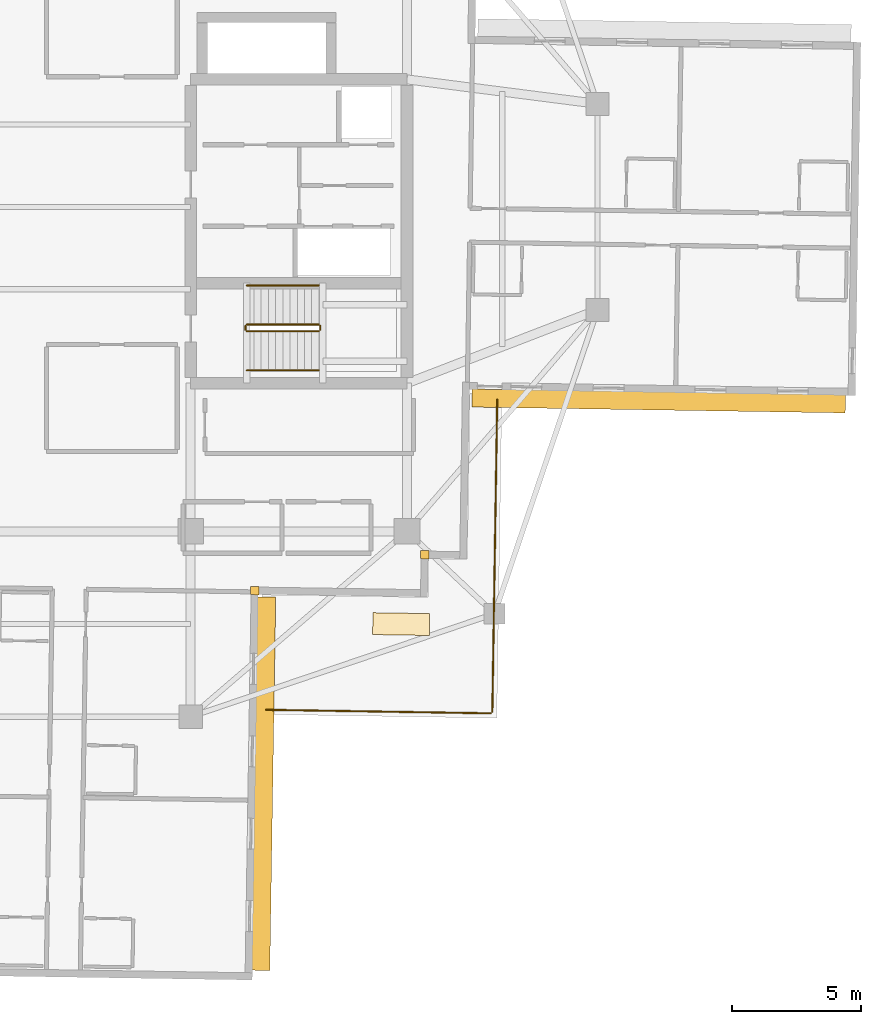
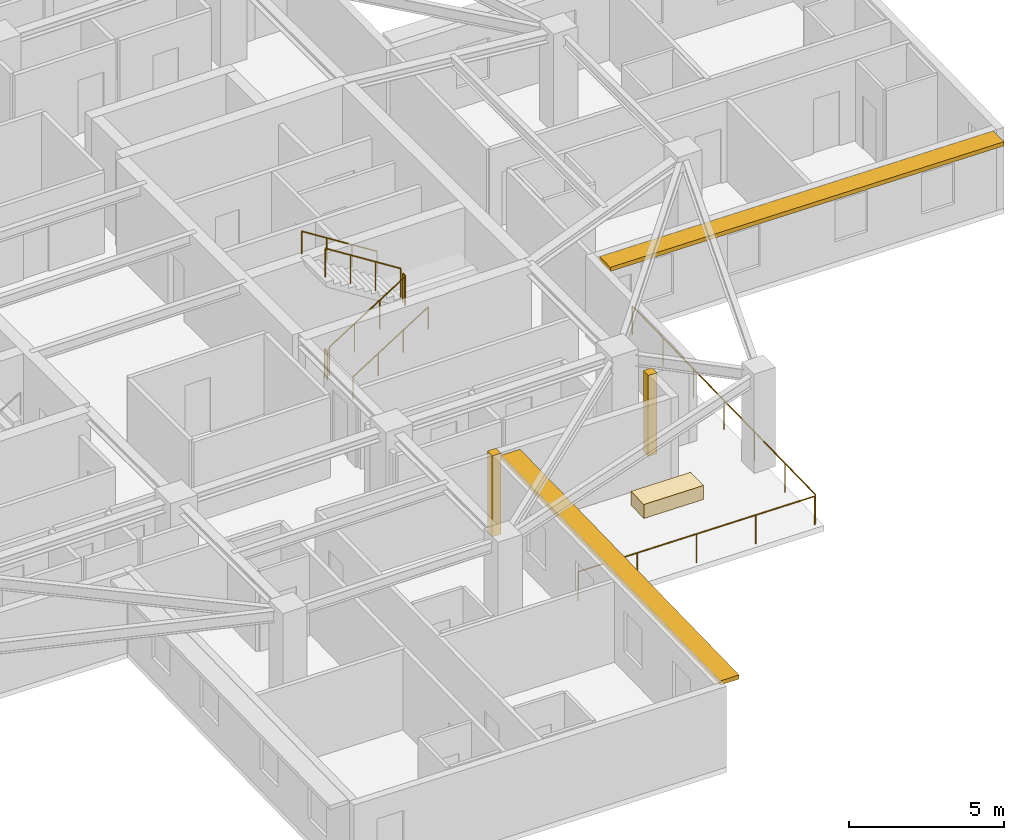
# One storey, part 11 of 13: 8 railings, 3 coverings, 2 shading devices.
"""IFC4 building model written with IfcOpenShell, lengths in metres."""

from ifc_helpers import new_model, si_unit, direction, frame, origin, origin_2d, place, context, subcontext, project, spatial, rectangle, circle, extrude, material, layer, layer_set, type_object, element, save


model = new_model("IFC4")

# Units and contexts
model_context = context("Model", 3, precision=1e-05, world=origin(), true_north=direction((0.0, 1.0)))
body_context = subcontext(model_context, "Body", "Model", "MODEL_VIEW")
ifc_project = project(units=[si_unit("LENGTHUNIT", "METRE"), si_unit("AREAUNIT", "SQUARE_METRE"), si_unit("VOLUMEUNIT", "CUBIC_METRE"), si_unit("PLANEANGLEUNIT", "RADIAN"), si_unit("MASSUNIT", "GRAM", prefix="KILO")], contexts=[model_context])

# Site, building, storey
site_placement = place(None, origin())
site = spatial("IfcSite", under=ifc_project, at=site_placement, CompositionType="ELEMENT")
building_placement = place(site_placement, origin())
building = spatial("IfcBuilding", under=site, at=building_placement, Name="Qingluan Cross Belvedere", CompositionType="ELEMENT")
storey_placement = place(building_placement, frame((0.0, 0.0, 228.60009765625)))
storey = spatial("IfcBuildingStorey", under=building, at=storey_placement, Name="L57", CompositionType="ELEMENT", Elevation=228.60009765625)

# Coverings
ifc_material_1 = material(Name="Precast concrete C45", Category="concrete")
ifc_layer_1 = layer(ifc_material_1, 0.1201171875, Name="ConcreteSpandrelCladding_120")
ifc_layer_set_1 = layer_set([ifc_layer_1], Name="Precast concrete C45")
covering_type_1 = type_object("IfcCoveringType", Name="ConcreteSpandrelCladding_120", PredefinedType="CLADDING", material=ifc_layer_set_1)
for number, where, z_axis, x_axis, name in (
    (1, (13.089599609375, -13.50732421875, 0.0), (0.0, 0.0, 1.0), (0.999876632482, -0.015707317312, 0.0), "Corner closure L57-SE1"),
    (2, (6.48681640625, -14.90380859375, 0.0), (0.0, 0.0, 1.0), (0.999876632482, -0.015707317312, 0.0), "Corner closure L57-SE2"),
):
    element("IfcCovering", number, at=place(storey_placement, frame(where, z_axis=z_axis, x_axis=x_axis)), inside=storey, type_object=covering_type_1, Name=name, PredefinedType="CLADDING", context=body_context, shape_type="SweptSolid", body=[
        extrude(rectangle(XDim=0.320068359375, YDim=0.320068359375, at=origin_2d()), origin(), (0.0, 0.0, 1.0), 3.179931640625),
    ])

# Shading devices
ifc_material_2 = material(Name="Precast concrete C45", Category="concrete")
ifc_layer_2 = layer(ifc_material_2, 0.139892578125, Name="ConcreteSunshadeBand_700")
ifc_layer_set_2 = layer_set([ifc_layer_2], Name="Precast concrete C45")
shading_device_type = type_object("IfcShadingDeviceType", Name="ConcreteSunshadeBand_700", PredefinedType="USERDEFINED", material=ifc_layer_set_2)
for number, where, z_axis, x_axis, name in (
    (3, (22.17431640625, -7.539306640625, 3.0), (0.0, 0.0, 1.0), (0.999876630106, -0.015707468526, 0.0), "Concrete SUNSHADE L57-EA"),
    (4, (6.839111328125, -22.400146484375, 3.0), (0.0, 0.0, 1.0), (0.015707468526, 0.999876630106, 0.0), "Concrete SUNSHADE L57-SB"),
):
    element("IfcShadingDevice", number, at=place(storey_placement, frame(where, z_axis=z_axis, x_axis=x_axis)), inside=storey, type_object=shading_device_type, Name=name, ObjectType="SUNSHADE", PredefinedType="USERDEFINED", context=body_context, shape_type="SweptSolid", body=[
        extrude(rectangle(XDim=14.5, YDim=0.699951171875, at=origin_2d()), origin(), (0.0, 0.0, 1.0), 0.159912109375),
    ])

# Railings
ifc_material_3 = material(Name="Brushed stainless steel tubular handrail", Category="steel")
railing_type_1 = type_object("IfcRailingType", Name="StairPitchHandrail_900", PredefinedType="HANDRAIL", material=ifc_material_3)
railing_1_placement = place(storey_placement, frame((6.179931640625, -6.35009765625, 0.17724609375)))
element("IfcRailing", 5, at=railing_1_placement, inside=storey, type_object=railing_type_1, Name="L57 ST2 stair handrail 1", PredefinedType="HANDRAIL", context=body_context, shape_type="SweptSolid", body=[
    extrude(circle(Radius=0.02392578125, at=origin_2d()), frame((0.0, 0.0, 0.8759765625), z_axis=(0.844908973607, 0.0, 0.534910110503), x_axis=(0.0, 1.0, 0.0)), (0.0, 0.0, 1.0), 3.31396484375),
    extrude(circle(Radius=0.02099609375, at=origin_2d()), origin(), (0.0, 0.0, 1.0), 0.851806640625),
    extrude(circle(Radius=0.02099609375, at=origin_2d()), frame((0.933349609375, 0.0, 0.5908203125)), (0.0, 0.0, 1.0), 0.851806640625),
    extrude(circle(Radius=0.02099609375, at=origin_2d()), frame((1.86669921875, 0.0, 1.181884765625)), (0.0, 0.0, 1.0), 0.851806640625),
    extrude(circle(Radius=0.02099609375, at=origin_2d()), frame((2.800048828125, 0.0, 1.772705078125)), (0.0, 0.0, 1.0), 0.851806640625),
])
railing_2_placement = place(storey_placement, frame((8.97998046875, -3.050048828125, 2.127197265625)))
element("IfcRailing", 6, at=railing_2_placement, inside=storey, type_object=railing_type_1, Name="L57 ST2 stair handrail 2", PredefinedType="HANDRAIL", context=body_context, shape_type="SweptSolid", body=[
    extrude(circle(Radius=0.02392578125, at=origin_2d()), frame((0.0, 0.0, 0.8759765625), z_axis=(-0.844908973607, 0.0, 0.534910110503), x_axis=(0.0, -1.0, 0.0)), (0.0, 0.0, 1.0), 3.31396484375),
    extrude(circle(Radius=0.02099609375, at=origin_2d()), origin(), (0.0, 0.0, 1.0), 0.851806640625),
    extrude(circle(Radius=0.02099609375, at=origin_2d()), frame((-0.933349609375, 0.0, 0.5908203125)), (0.0, 0.0, 1.0), 0.851806640625),
    extrude(circle(Radius=0.02099609375, at=origin_2d()), frame((-1.86669921875, 0.0, 1.181884765625)), (0.0, 0.0, 1.0), 0.851806640625),
    extrude(circle(Radius=0.02099609375, at=origin_2d()), frame((-2.800048828125, 0.0, 1.772705078125)), (0.0, 0.0, 1.0), 0.851806640625),
])
ifc_material_4 = material(Name="Painted steel stair well guard", Category="steel")
railing_type_2 = type_object("IfcRailingType", Name="StairWellGuard_1150", PredefinedType="BALUSTRADE", material=ifc_material_4)
railing_3_placement = place(storey_placement, frame((6.179931640625, -4.830078125, 0.17724609375)))
element("IfcRailing", 7, at=railing_3_placement, inside=storey, type_object=railing_type_2, Name="L57 ST2 stair guard 1", PredefinedType="BALUSTRADE", context=body_context, shape_type="SweptSolid", body=[
    extrude(circle(Radius=0.02392578125, at=origin_2d()), frame((0.0, 0.0, 1.1259765625), z_axis=(0.844908973607, 0.0, 0.534910110503), x_axis=(0.0, 1.0, 0.0)), (0.0, 0.0, 1.0), 3.31396484375),
    extrude(circle(Radius=0.02099609375, at=origin_2d()), origin(), (0.0, 0.0, 1.0), 1.101806640625),
    extrude(circle(Radius=0.02099609375, at=origin_2d()), frame((0.933349609375, 0.0, 0.5908203125)), (0.0, 0.0, 1.0), 1.101806640625),
    extrude(circle(Radius=0.02099609375, at=origin_2d()), frame((1.86669921875, 0.0, 1.181884765625)), (0.0, 0.0, 1.0), 1.101806640625),
    extrude(circle(Radius=0.02099609375, at=origin_2d()), frame((2.800048828125, 0.0, 1.772705078125)), (0.0, 0.0, 1.0), 1.101806640625),
])
railing_4_placement = place(storey_placement, frame((9.030029296875, -4.780029296875, 1.949951171875)))
element("IfcRailing", 8, at=railing_4_placement, inside=storey, type_object=railing_type_2, Name="L57 ST2 stair guard 2", PredefinedType="BALUSTRADE", context=body_context, shape_type="SweptSolid", body=[
    extrude(circle(Radius=0.02392578125, at=origin_2d()), frame((0.0, 0.0, 1.1259765625), z_axis=(0.0, 1.0, 0.0), x_axis=(-1.0, 0.0, 0.0)), (0.0, 0.0, 1.0), 0.159912109375),
    extrude(circle(Radius=0.02099609375, at=origin_2d()), origin(), (0.0, 0.0, 1.0), 1.101806640625),
    extrude(circle(Radius=0.02099609375, at=origin_2d()), frame((0.0, 0.159912109375, 0.0)), (0.0, 0.0, 1.0), 1.101806640625),
])
railing_5_placement = place(storey_placement, frame((8.97998046875, -4.570068359375, 2.127197265625)))
element("IfcRailing", 9, at=railing_5_placement, inside=storey, type_object=railing_type_2, Name="L57 ST2 stair guard 3", PredefinedType="BALUSTRADE", context=body_context, shape_type="SweptSolid", body=[
    extrude(circle(Radius=0.02392578125, at=origin_2d()), frame((0.0, 0.0, 1.1259765625), z_axis=(-0.844908973607, 0.0, 0.534910110503), x_axis=(0.0, -1.0, 0.0)), (0.0, 0.0, 1.0), 3.31396484375),
    extrude(circle(Radius=0.02099609375, at=origin_2d()), origin(), (0.0, 0.0, 1.0), 1.101806640625),
    extrude(circle(Radius=0.02099609375, at=origin_2d()), frame((-0.933349609375, 0.0, 0.5908203125)), (0.0, 0.0, 1.0), 1.101806640625),
    extrude(circle(Radius=0.02099609375, at=origin_2d()), frame((-1.86669921875, 0.0, 1.181884765625)), (0.0, 0.0, 1.0), 1.101806640625),
    extrude(circle(Radius=0.02099609375, at=origin_2d()), frame((-2.800048828125, 0.0, 1.772705078125)), (0.0, 0.0, 1.0), 1.101806640625),
])
railing_6_placement = place(storey_placement, frame((6.1298828125, -4.780029296875, 0.0)))
element("IfcRailing", 10, at=railing_6_placement, inside=storey, type_object=railing_type_2, Name="L57 ST2 stair guard 4", PredefinedType="BALUSTRADE", context=body_context, shape_type="SweptSolid", body=[
    extrude(circle(Radius=0.02392578125, at=origin_2d()), frame((0.0, 0.0, 1.1259765625), z_axis=(0.0, 1.0, 0.0), x_axis=(-1.0, 0.0, 0.0)), (0.0, 0.0, 1.0), 0.159912109375),
    extrude(circle(Radius=0.02099609375, at=origin_2d()), origin(), (0.0, 0.0, 1.0), 1.101806640625),
    extrude(circle(Radius=0.02099609375, at=origin_2d()), frame((0.0, 0.159912109375, 0.0)), (0.0, 0.0, 1.0), 1.101806640625),
])
ifc_material_5 = material(Name="Laminated glass and stainless steel balustrade", Category="steel")
railing_type_3 = type_object("IfcRailingType", Name="TerraceGuardBalustrade_1150", PredefinedType="BALUSTRADE", material=ifc_material_5)
railing_7_placement = place(storey_placement, frame((15.904296875, -7.49072265625, 0.0)))
element("IfcRailing", 11, at=railing_7_placement, inside=storey, type_object=railing_type_3, Name="Terrace guard L57-1", PredefinedType="BALUSTRADE", context=body_context, shape_type="SweptSolid", body=[
    extrude(circle(Radius=0.02392578125, at=origin_2d()), frame((0.0, 0.0, 1.1259765625), z_axis=(-0.015712144452, -0.999876556639, 0.0), x_axis=(0.999876556639, -0.015712144452, 0.0)), (0.0, 0.0, 1.0), 12.119873046875),
    extrude(circle(Radius=0.02099609375, at=origin_2d()), origin(), (0.0, 0.0, 1.0), 1.101806640625),
    extrude(circle(Radius=0.02099609375, at=origin_2d()), frame((-0.03173828125, -2.019775390625, 0.0)), (0.0, 0.0, 1.0), 1.101806640625),
    extrude(circle(Radius=0.02099609375, at=origin_2d()), frame((-0.0634765625, -4.03955078125, 0.0)), (0.0, 0.0, 1.0), 1.101806640625),
    extrude(circle(Radius=0.02099609375, at=origin_2d()), frame((-0.09521484375, -6.05908203125, 0.0)), (0.0, 0.0, 1.0), 1.101806640625),
    extrude(circle(Radius=0.02099609375, at=origin_2d()), frame((-0.126953125, -8.078857421875, 0.0)), (0.0, 0.0, 1.0), 1.101806640625),
    extrude(circle(Radius=0.02099609375, at=origin_2d()), frame((-0.15869140625, -10.0986328125, 0.0)), (0.0, 0.0, 1.0), 1.101806640625),
    extrude(circle(Radius=0.02099609375, at=origin_2d()), frame((-0.1904296875, -12.118408203125, 0.0)), (0.0, 0.0, 1.0), 1.101806640625),
])
railing_8_placement = place(storey_placement, frame((15.653076171875, -19.668212890625, 0.0)))
element("IfcRailing", 12, at=railing_8_placement, inside=storey, type_object=railing_type_3, Name="Terrace guard L57-2", PredefinedType="BALUSTRADE", context=body_context, shape_type="SweptSolid", body=[
    extrude(circle(Radius=0.02392578125, at=origin_2d()), frame((0.0, 0.0, 1.1259765625), z_axis=(-0.999876643314, 0.015706627752, 0.0), x_axis=(-0.015706627752, -0.999876643314, 0.0)), (0.0, 0.0, 1.0), 8.719970703125),
    extrude(circle(Radius=0.02099609375, at=origin_2d()), origin(), (0.0, 0.0, 1.0), 1.101806640625),
    extrude(circle(Radius=0.02099609375, at=origin_2d()), frame((-2.1796875, 0.0341796875, 0.0)), (0.0, 0.0, 1.0), 1.101806640625),
    extrude(circle(Radius=0.02099609375, at=origin_2d()), frame((-4.359375, 0.068359375, 0.0)), (0.0, 0.0, 1.0), 1.101806640625),
    extrude(circle(Radius=0.02099609375, at=origin_2d()), frame((-6.539306640625, 0.102783203125, 0.0)), (0.0, 0.0, 1.0), 1.101806640625),
    extrude(circle(Radius=0.02099609375, at=origin_2d()), frame((-8.718994140625, 0.136962890625, 0.0)), (0.0, 0.0, 1.0), 1.101806640625),
])

# Covering
ifc_material_6 = material(Name="Precast concrete C40", Category="concrete")
ifc_layer_3 = layer(ifc_material_6, 0.550048828125, Name="TerracePlanterBox")
ifc_layer_set_3 = layer_set([ifc_layer_3], Name="Precast concrete C40")
covering_type_2 = type_object("IfcCoveringType", Name="TerracePlanterBox", PredefinedType="USERDEFINED", material=ifc_layer_set_3)
covering_placement = place(storey_placement, frame((12.172119140625, -16.202880859375, 0.0), z_axis=(0.0, 0.0, 1.0), x_axis=(0.999876632482, -0.015707317312, 0.0)))
element("IfcCovering", 13, at=covering_placement, inside=storey, type_object=covering_type_2, Name="Spiralling winter-garden planter L57", ObjectType="PLANTER", PredefinedType="USERDEFINED", context=body_context, shape_type="SweptSolid", body=[
    extrude(rectangle(XDim=2.199951171875, YDim=0.85009765625, at=origin_2d()), origin(), (0.0, 0.0, 1.0), 0.550048828125),
])

save(model, "model.ifc")
